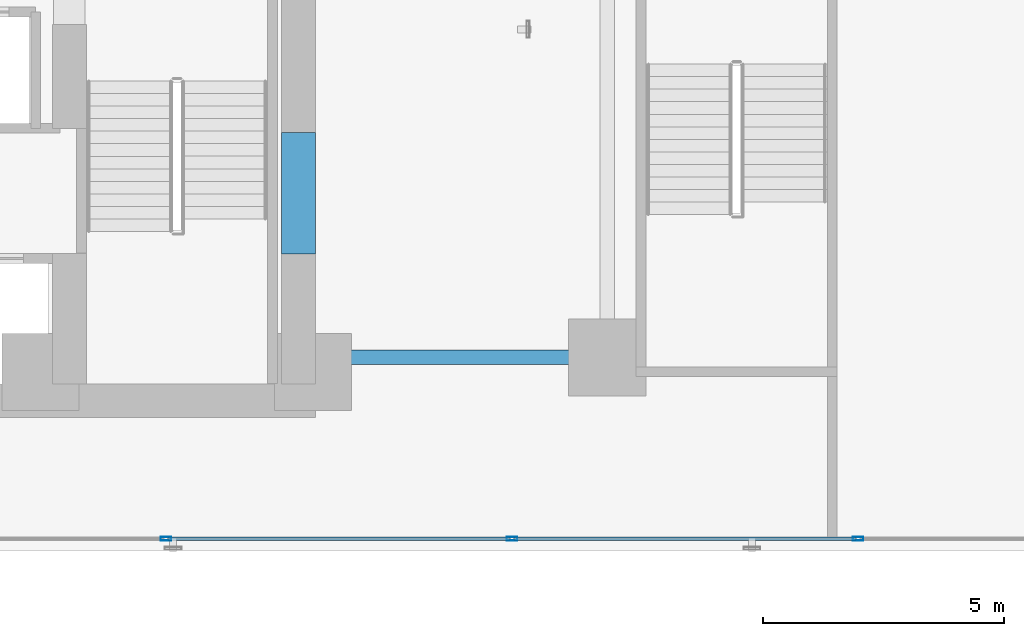
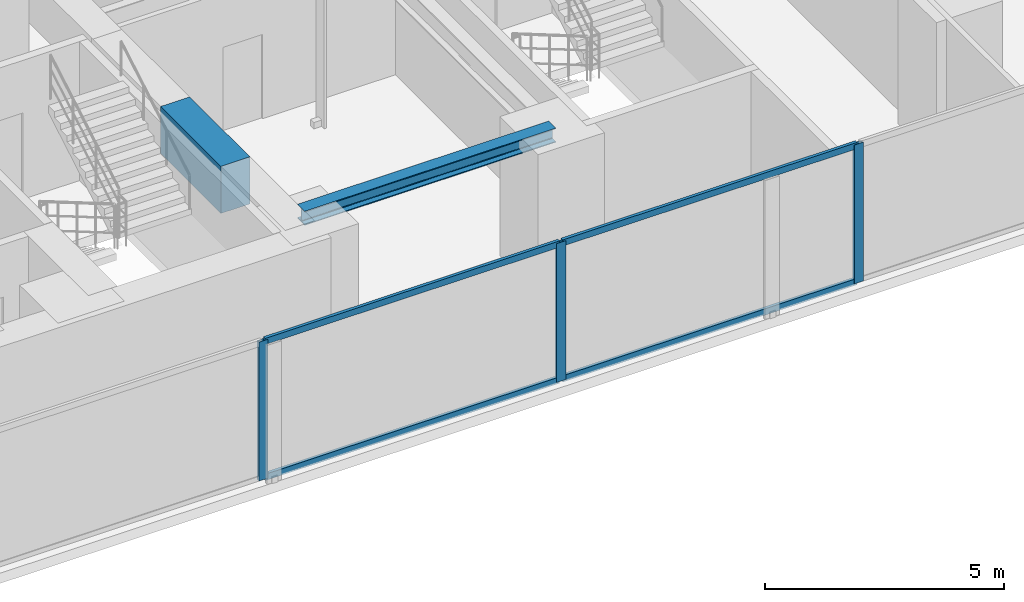
# One storey, part 4 of 30: 7 members, 2 beams, 1 element without a shape of its own.
"""IFC4 building model written with IfcOpenShell, lengths in metres."""

from ifc_helpers import new_model, si_unit, direction, frame, origin, origin_with_axes, origin_2d, place, context, subcontext, project, spatial, rectangle, hollow_rectangle, i_section, extrude, source, transform, mapped, material, layer, layer_set, material_profile, profile_set, type_object, element, aggregate, save


model = new_model("IFC4")

# Units and contexts
model_context = context("Model", 3, precision=1e-05, world=origin(), true_north=direction((0.0, 1.0)))
body_context = subcontext(model_context, "Body", "Model", "MODEL_VIEW")
ifc_project = project(units=[si_unit("LENGTHUNIT", "METRE"), si_unit("AREAUNIT", "SQUARE_METRE"), si_unit("VOLUMEUNIT", "CUBIC_METRE"), si_unit("PLANEANGLEUNIT", "RADIAN"), si_unit("MASSUNIT", "GRAM", prefix="KILO")], contexts=[model_context])

# Site, building, storey
site_placement = place(None, origin())
site = spatial("IfcSite", under=ifc_project, at=site_placement, CompositionType="ELEMENT")
building_placement = place(site_placement, origin())
building = spatial("IfcBuilding", under=site, at=building_placement, Name="Kolvaren Waterfront Exchange", CompositionType="ELEMENT")
storey_placement = place(building_placement, frame((0.0, 0.0, 71.39990234375)))
storey = spatial("IfcBuildingStorey", under=building, at=storey_placement, Name="L18", CompositionType="ELEMENT", Elevation=71.39990234375)

# Beams
ifc_material_1 = material(Name="Steel S355", Category="steel")
ifc_material_profile_1 = material_profile(ifc_material_1, i_section(OverallWidth=0.300048828125, OverallDepth=0.360107421875, WebThickness=0.012451171875, FlangeThickness=0.0224609375, FilletRadius=0.027099609375, at=origin_2d()), Name="HEB360")
ifc_profile_set_1 = profile_set([ifc_material_profile_1], Name="Steel S355")
beam_type_1 = type_object("IfcBeamType", Name="STR-BM-HEB360", PredefinedType="SPANDREL", material=ifc_profile_set_1)
beam_1_placement = place(storey_placement, frame((21.14990234375, 5.199951171875, 3.360107421875), z_axis=(1.0, 0.0, 0.0), x_axis=(0.0, 1.0, 0.0)))
element("IfcBeam", 1, at=beam_1_placement, inside=storey, type_object=beam_type_1, Name="L18 east-arm spandrel S1", PredefinedType="SPANDREL", context=body_context, shape_type="SweptSolid", body=[
    extrude(i_section(OverallWidth=0.300048828125, OverallDepth=0.360107421875, WebThickness=0.012451171875, FlangeThickness=0.0224609375, FilletRadius=0.027099609375, at=origin_2d()), origin(), (0.0, 0.0, 1.0), 6.050048828125),
])
ifc_material_2 = material(Name="Concrete C70/85", Category="concrete")
ifc_material_profile_2 = material_profile(ifc_material_2, rectangle(XDim=0.699951171875, YDim=1.199951171875, at=origin_2d()), Name="RC-CB-1200x700")
ifc_profile_set_2 = profile_set([ifc_material_profile_2], Name="Concrete C70/85")
beam_type_2 = type_object("IfcBeamType", Name="STR-CB-1200", PredefinedType="SPANDREL", material=ifc_profile_set_2)
beam_2_placement = place(storey_placement, frame((20.800048828125, 7.340087890625, 2.940185546875), z_axis=(0.0, 1.0, 0.0), x_axis=(-1.0, 0.0, 0.0)))
element("IfcBeam", 2, at=beam_2_placement, inside=storey, type_object=beam_type_2, Name="L18 core coupling beam 1", PredefinedType="SPANDREL", context=body_context, shape_type="SweptSolid", body=[
    extrude(rectangle(XDim=0.699951171875, YDim=1.199951171875, at=origin_2d()), origin(), (0.0, 0.0, 1.0), 2.52001953125),
])

# Curtain wall, members
ifc_material_3 = material(Name="Anodised bronze aluminium 6063-T6", Category="aluminium")
ifc_layer = layer(ifc_material_3, 0.219970703125, Name="Anodised bronze aluminium 6063-T6")
ifc_layer_set = layer_set([ifc_layer], Name="Anodised bronze aluminium 6063-T6")
curtain_wall_type = type_object("IfcCurtainWallType", Name="ARC-CW-SYS1", PredefinedType="USERDEFINED", material=ifc_layer_set)
curtain_wall_placement = place(storey_placement, origin())
curtain_wall = element("IfcCurtainWall", 3, at=curtain_wall_placement, inside=storey, type_object=curtain_wall_type, Name="L18 stick curtain wall CW1 (CW-L18-S)", ObjectType="STICK CURTAIN WALL", PredefinedType="USERDEFINED")
ifc_material_4 = material(Name="Anodised aluminium 6063-T6", Category="aluminium")
ifc_material_profile_3 = material_profile(ifc_material_4, hollow_rectangle(XDim=0.074951171875, YDim=0.159912109375, WallThickness=0.00439453125, at=origin_2d()), Name="ALU-TRN-160x75x4.5")
ifc_profile_set_3 = profile_set([ifc_material_profile_3], Name="Anodised aluminium 6063-T6")
member_type_1 = type_object("IfcMemberType", Name="ARC-CWT-160", PredefinedType="USERDEFINED", material=ifc_profile_set_3)
shared_shape_1 = source(origin_with_axes(), body_context, "Body", "SweptSolid", [
    extrude(hollow_rectangle(XDim=0.074951171875, YDim=0.159912109375, WallThickness=0.00439453125, at=origin_2d()), origin(), (0.0, 0.0, 1.0), 7.094970703125),
])
member_1_placement = place(storey_placement, frame((18.090087890625, 1.43994140625, 0.03759765625), z_axis=(1.0, 0.0, 0.0), x_axis=(0.0, 1.0, 0.0)))
member_1 = element("IfcMember", 4, at=member_1_placement, type_object=member_type_1, Name="CW1 transom 3.1", ObjectType="TRANSOM", PredefinedType="USERDEFINED", context=body_context, shape_type="MappedRepresentation", body=[
    mapped(shared_shape_1, transform((0.0, 0.0, 0.0), x_axis=(1.0, 0.0, 0.0), y_axis=(0.0, 1.0, 0.0), z_axis=(0.0, 0.0, 1.0), scale=1.0)),
])
member_2_placement = place(storey_placement, frame((18.090087890625, 1.43994140625, 3.502685546875), z_axis=(1.0, 0.0, 0.0), x_axis=(0.0, 1.0, 0.0)))
member_2 = element("IfcMember", 5, at=member_2_placement, type_object=member_type_1, Name="CW1 transom 3.2", ObjectType="TRANSOM", PredefinedType="USERDEFINED", context=body_context, shape_type="MappedRepresentation", body=[
    mapped(shared_shape_1, transform((0.0, 0.0, 0.0), x_axis=(1.0, 0.0, 0.0), y_axis=(0.0, 1.0, 0.0), z_axis=(0.0, 0.0, 1.0), scale=1.0)),
])
shared_shape_2 = source(origin_with_axes(), body_context, "Body", "SweptSolid", [
    extrude(hollow_rectangle(XDim=0.074951171875, YDim=0.159912109375, WallThickness=0.00439453125, at=origin_2d()), origin(), (0.0, 0.0, 1.0), 7.09521484375),
])
member_3_placement = place(storey_placement, frame((25.264892578125, 1.43994140625, 0.03759765625), z_axis=(1.0, 0.0, 0.0), x_axis=(0.0, 1.0, 0.0)))
member_3 = element("IfcMember", 6, at=member_3_placement, type_object=member_type_1, Name="CW1 transom 4.1", ObjectType="TRANSOM", PredefinedType="USERDEFINED", context=body_context, shape_type="MappedRepresentation", body=[
    mapped(shared_shape_2, transform((0.0, 0.0, 0.0), x_axis=(1.0, 0.0, 0.0), y_axis=(0.0, 1.0, 0.0), z_axis=(0.0, 0.0, 1.0), scale=1.0)),
])
member_4_placement = place(storey_placement, frame((25.264892578125, 1.43994140625, 3.502685546875), z_axis=(1.0, 0.0, 0.0), x_axis=(0.0, 1.0, 0.0)))
member_4 = element("IfcMember", 7, at=member_4_placement, type_object=member_type_1, Name="CW1 transom 4.2", ObjectType="TRANSOM", PredefinedType="USERDEFINED", context=body_context, shape_type="MappedRepresentation", body=[
    mapped(shared_shape_2, transform((0.0, 0.0, 0.0), x_axis=(1.0, 0.0, 0.0), y_axis=(0.0, 1.0, 0.0), z_axis=(0.0, 0.0, 1.0), scale=1.0)),
])
ifc_material_profile_4 = material_profile(ifc_material_4, hollow_rectangle(XDim=0.080078125, YDim=0.219970703125, WallThickness=0.0048828125, at=origin_2d()), Name="ALU-MUL-220x80x5")
ifc_profile_set_4 = profile_set([ifc_material_profile_4], Name="Anodised aluminium 6063-T6")
member_type_2 = type_object("IfcMemberType", Name="ARC-CWM-220", PredefinedType="MULLION", material=ifc_profile_set_4)
shared_shape_3 = source(origin_with_axes(), body_context, "Body", "SweptSolid", [
    extrude(hollow_rectangle(XDim=0.080078125, YDim=0.219970703125, WallThickness=0.0048828125, at=origin_2d()), origin(), (0.0, 0.0, 1.0), 3.5400390625),
])
member_5_placement = place(storey_placement, frame((18.050048828125, 1.43994140625, 0.0), z_axis=(0.0, 0.0, 1.0), x_axis=(0.0, 1.0, 0.0)))
member_5 = element("IfcMember", 8, at=member_5_placement, type_object=member_type_2, Name="CW1 mullion 3", PredefinedType="MULLION", context=body_context, shape_type="MappedRepresentation", body=[
    mapped(shared_shape_3, transform((0.0, 0.0, 0.0), x_axis=(1.0, 0.0, 0.0), y_axis=(0.0, 1.0, 0.0), z_axis=(0.0, 0.0, 1.0), scale=1.0)),
])
member_6_placement = place(storey_placement, frame((25.22509765625, 1.43994140625, 0.0), z_axis=(0.0, 0.0, 1.0), x_axis=(0.0, 1.0, 0.0)))
member_6 = element("IfcMember", 9, at=member_6_placement, type_object=member_type_2, Name="CW1 mullion 4", PredefinedType="MULLION", context=body_context, shape_type="MappedRepresentation", body=[
    mapped(shared_shape_3, transform((0.0, 0.0, 0.0), x_axis=(1.0, 0.0, 0.0), y_axis=(0.0, 1.0, 0.0), z_axis=(0.0, 0.0, 1.0), scale=1.0)),
])
member_7_placement = place(storey_placement, frame((32.39990234375, 1.43994140625, 0.0), z_axis=(0.0, 0.0, 1.0), x_axis=(0.0, 1.0, 0.0)))
member_7 = element("IfcMember", 10, at=member_7_placement, type_object=member_type_2, Name="CW1 mullion 5", PredefinedType="MULLION", context=body_context, shape_type="MappedRepresentation", body=[
    mapped(shared_shape_3, transform((0.0, 0.0, 0.0), x_axis=(1.0, 0.0, 0.0), y_axis=(0.0, 1.0, 0.0), z_axis=(0.0, 0.0, 1.0), scale=1.0)),
])
aggregate(curtain_wall, [member_5, member_6, member_7, member_1, member_2, member_3, member_4])

save(model, "model.ifc")
